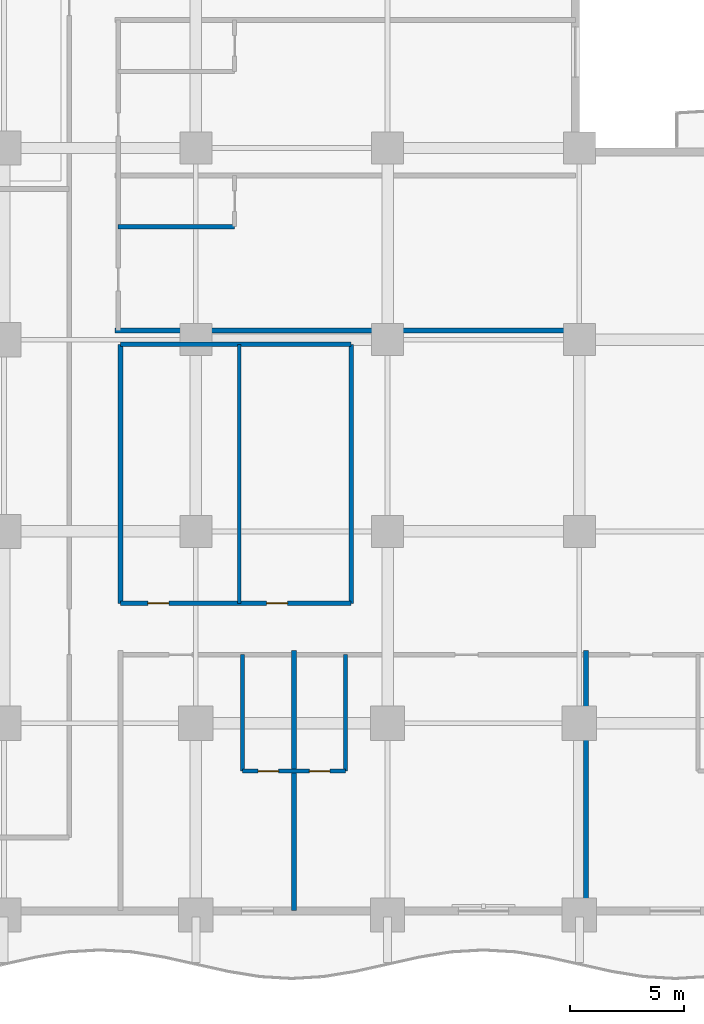
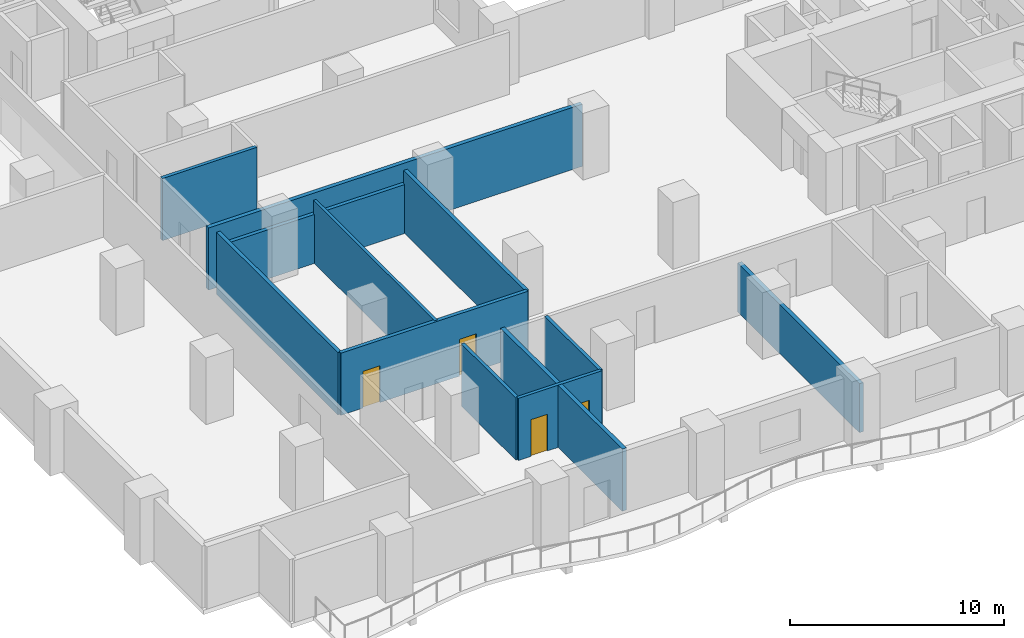
# One storey, part 10 of 27: 12 walls, 4 doors, 4 openings.
"""IFC4 building model written with IfcOpenShell, lengths in metres."""

from ifc_helpers import new_model, si_unit, direction, frame, frame_2d, origin, place, context, subcontext, project, spatial, rectangle, extrude, material, layer, layer_set, type_object, element, fill, save


model = new_model("IFC4")

# Units and contexts
model_context = context("Model", 3, precision=1e-05, world=origin(), true_north=direction((0.0, 1.0)))
body_context = subcontext(model_context, "Body", "Model", "MODEL_VIEW")
ifc_project = project(units=[si_unit("LENGTHUNIT", "METRE"), si_unit("AREAUNIT", "SQUARE_METRE"), si_unit("VOLUMEUNIT", "CUBIC_METRE"), si_unit("PLANEANGLEUNIT", "RADIAN"), si_unit("MASSUNIT", "GRAM", prefix="KILO")], contexts=[model_context])

# Site, building, storey
site_placement = place(None, origin())
site = spatial("IfcSite", under=ifc_project, at=site_placement, CompositionType="ELEMENT")
building_placement = place(site_placement, origin())
building = spatial("IfcBuilding", under=site, at=building_placement, Name="Koriwani Terraces Tower", CompositionType="ELEMENT")
storey_placement = place(building_placement, frame((0.0, 0.0, 54.800048828125)))
storey = spatial("IfcBuildingStorey", under=building, at=storey_placement, Name="L12", CompositionType="ELEMENT", Elevation=54.800048828125)

# Wall, openings, doors
ifc_material_1 = material(Name="Autoclaved Cellular Concrete Blockwork", Category="masonry")
ifc_layer_1 = layer(ifc_material_1, 0.199951171875, Name="Autoclaved Cellular Concrete Blockwork")
ifc_layer_set_1 = layer_set([ifc_layer_1], Name="Autoclaved Cellular Concrete Blockwork")
wall_type_1 = type_object("IfcWallType", Name="WALL_CORRIDOR_200", PredefinedType="PARTITIONING", material=ifc_layer_set_1)
wall_1_placement = place(storey_placement, frame((13.5, 13.64990234375, 0.0), z_axis=(0.0, 0.0, 1.0), x_axis=(1.0, 0.0, 0.0)))
wall_1 = element("IfcWall", 1, at=wall_1_placement, inside=storey, type_object=wall_type_1, Name="L12 Interior Wall WHK-L12-S", PredefinedType="PARTITIONING", context=body_context, shape_type="SweptSolid", body=[
    extrude(rectangle(XDim=10.10009765625, YDim=0.199951171875, at=frame_2d((5.050048828125, 0.0))), origin(), (0.0, 0.0, 1.0), 3.550048828125),
])
opening_1_placement = place(wall_1_placement, frame((1.199951171875, 0.0, 0.0)))
opening_1 = element("IfcOpeningElement", 2, at=opening_1_placement, cuts=wall_1, Name="Opening D-06", PredefinedType="OPENING", context=body_context, shape_type="SweptSolid", body=[
    extrude(rectangle(XDim=0.919921875, YDim=2.10009765625, at=frame_2d((0.4599609375, 1.050048828125))), frame((0.0, 0.10986328125, 0.0), z_axis=(0.0, -1.0, 0.0), x_axis=(1.0, 0.0, 0.0)), (0.0, 0.0, 1.0), 0.219970703125),
])
opening_2_placement = place(wall_1_placement, frame((6.39990234375, 0.0, 0.0)))
opening_2 = element("IfcOpeningElement", 3, at=opening_2_placement, cuts=wall_1, Name="Opening D-06", PredefinedType="OPENING", context=body_context, shape_type="SweptSolid", body=[
    extrude(rectangle(XDim=0.919921875, YDim=2.10009765625, at=frame_2d((0.4599609375, 1.050048828125))), frame((0.0, 0.10986328125, 0.0), z_axis=(0.0, -1.0, 0.0), x_axis=(1.0, 0.0, 0.0)), (0.0, 0.0, 1.0), 0.219970703125),
])
ifc_material_2 = material(Name="Architectural Oak Fire Door", Category="wood")
door_type_1 = type_object("IfcDoorType", Name="DOOR_ROOM_INT_920X2100", OperationType="NOTDEFINED", PredefinedType="DOOR", material=ifc_material_2)
door_1_placement = place(opening_1_placement, origin())
door_1 = element("IfcDoor", 4, at=door_1_placement, inside=storey, type_object=door_type_1, Name="L12 Housekeeping and Linen Room Door", OperationType="SINGLE_SWING_RIGHT", OverallHeight=2.10009765625, OverallWidth=0.919921875, PredefinedType="DOOR", context=body_context, shape_type="SweptSolid", body=[
    extrude(rectangle(XDim=0.919921875, YDim=2.10009765625, at=frame_2d((0.4599609375, 1.050048828125))), frame((0.0, 0.02490234375, 0.0), z_axis=(0.0, -1.0, 0.0), x_axis=(1.0, 0.0, 0.0)), (0.0, 0.0, 1.0), 0.050048828125),
])
fill(opening_1, door_1)
door_2_placement = place(opening_2_placement, origin())
door_2 = element("IfcDoor", 5, at=door_2_placement, inside=storey, type_object=door_type_1, Name="L12 Guest Study Lounge Door", OperationType="SINGLE_SWING_LEFT", OverallHeight=2.10009765625, OverallWidth=0.919921875, PredefinedType="DOOR", context=body_context, shape_type="SweptSolid", body=[
    extrude(rectangle(XDim=0.919921875, YDim=2.10009765625, at=frame_2d((0.4599609375, 1.050048828125))), frame((0.0, 0.02490234375, 0.0), z_axis=(0.0, -1.0, 0.0), x_axis=(1.0, 0.0, 0.0)), (0.0, 0.0, 1.0), 0.050048828125),
])
fill(opening_2, door_2)

# Walls
wall_2_placement = place(storey_placement, frame((13.5, 25.0, 0.0), z_axis=(0.0, 0.0, 1.0), x_axis=(1.0, 0.0, 0.0)))
element("IfcWall", 6, at=wall_2_placement, inside=storey, type_object=wall_type_1, Name="L12 Interior Wall WHK-L12-N", PredefinedType="PARTITIONING", context=body_context, shape_type="SweptSolid", body=[
    extrude(rectangle(XDim=10.10009765625, YDim=0.199951171875, at=frame_2d((5.050048828125, 0.0))), origin(), (0.0, 0.0, 1.0), 2.800048828125),
])
for number, where, z_axis, x_axis, name in (
    (7, (13.5, 13.64990234375, 0.0), (0.0, 0.0, 1.0), (0.0, 1.0, 0.0), "L12 Interior Wall WHK-L12-W"),
    (8, (23.60009765625, 13.64990234375, 0.0), (0.0, 0.0, 1.0), (0.0, 1.0, 0.0), "L12 Interior Wall WHK-L12-E"),
):
    element("IfcWall", number, at=place(storey_placement, frame(where, z_axis=z_axis, x_axis=x_axis)), inside=storey, type_object=wall_type_1, Name=name, PredefinedType="PARTITIONING", context=body_context, shape_type="SweptSolid", body=[
        extrude(rectangle(XDim=11.35009765625, YDim=0.199951171875, at=frame_2d((5.675048828125, 0.0))), origin(), (0.0, 0.0, 1.0), 3.550048828125),
    ])
ifc_layer_2 = layer(ifc_material_1, 0.219970703125, Name="Autoclaved Cellular Concrete Blockwork")
ifc_layer_set_2 = layer_set([ifc_layer_2], Name="Autoclaved Cellular Concrete Blockwork")
wall_type_2 = type_object("IfcWallType", Name="WALL_DEMISING_220", PredefinedType="PARTITIONING", material=ifc_layer_set_2)
wall_3_placement = place(storey_placement, frame((13.25, 25.60009765625, 0.0), z_axis=(0.0, 0.0, 1.0), x_axis=(1.0, 0.0, 0.0)))
element("IfcWall", 9, at=wall_3_placement, inside=storey, type_object=wall_type_2, Name="L12 Interior Wall WDEM-L12-NWI-0", PredefinedType="PARTITIONING", context=body_context, shape_type="SweptSolid", body=[
    extrude(rectangle(XDim=20.179931640625, YDim=0.219970703125, at=frame_2d((10.08984375, 0.0))), origin(), (0.0, 0.0, 1.0), 3.550048828125),
])
wall_4_placement = place(storey_placement, frame((21.10009765625, 0.199951171875, 0.0), z_axis=(0.0, 0.0, 1.0), x_axis=(0.0, 1.0, 0.0)))
element("IfcWall", 10, at=wall_4_placement, inside=storey, type_object=wall_type_2, Name="L12 Interior Wall WDEM-L12-SW-1", PredefinedType="PARTITIONING", context=body_context, shape_type="SweptSolid", body=[
    extrude(rectangle(XDim=11.380126953125, YDim=0.219970703125, at=frame_2d((5.68994140625, 0.0))), origin(), (0.0, 0.0, 1.0), 3.550048828125),
])
wall_5_placement = place(storey_placement, frame((33.89990234375, 0.199951171875, 0.0), z_axis=(0.0, 0.0, 1.0), x_axis=(0.0, 1.0, 0.0)))
element("IfcWall", 11, at=wall_5_placement, inside=storey, type_object=wall_type_2, Name="L12 Interior Wall WDEM-L12-SW-2", PredefinedType="PARTITIONING", context=body_context, shape_type="SweptSolid", body=[
    extrude(rectangle(XDim=11.380126953125, YDim=0.219970703125, at=frame_2d((5.68994140625, 0.0))), origin(), (0.0, 0.0, 1.0), 2.800048828125),
])
ifc_material_3 = material(Name="Fire-Rated Acoustic Gypsum Partition", Category="masonry")
ifc_layer_3 = layer(ifc_material_3, 0.179931640625, Name="Fire-Rated Acoustic Gypsum Partition")
ifc_layer_set_3 = layer_set([ifc_layer_3], Name="Fire-Rated Acoustic Gypsum Partition")
wall_type_3 = type_object("IfcWallType", Name="WALL_PLUMBING_180", PredefinedType="PLUMBINGWALL", material=ifc_layer_set_3)
wall_6_placement = place(storey_placement, frame((13.39990234375, 30.14990234375, 0.0), z_axis=(0.0, 0.0, 1.0), x_axis=(1.0, 0.0, 0.0)))
element("IfcWall", 12, at=wall_6_placement, inside=storey, type_object=wall_type_3, Name="L12 Interior Wall WBTH2-L12-NWI-0", PredefinedType="PLUMBINGWALL", context=body_context, shape_type="SweptSolid", body=[
    extrude(rectangle(XDim=5.10009765625, YDim=0.179931640625, at=frame_2d((2.550048828125, 0.0))), origin(), (0.0, 0.0, 1.0), 3.550048828125),
])

# Wall, openings, doors
wall_7_placement = place(storey_placement, frame((18.85009765625, 6.300048828125, 0.0), z_axis=(0.0, 0.0, 1.0), x_axis=(1.0, 0.0, 0.0)))
wall_7 = element("IfcWall", 13, at=wall_7_placement, inside=storey, type_object=wall_type_3, Name="L12 Interior Wall WBTH1-L12-SW-0", PredefinedType="PLUMBINGWALL", context=body_context, shape_type="SweptSolid", body=[
    extrude(rectangle(XDim=4.5, YDim=0.179931640625, at=frame_2d((2.25, 0.0))), origin(), (0.0, 0.0, 1.0), 3.550048828125),
])
opening_3_placement = place(wall_7_placement, frame((0.675048828125, 0.0, 0.0)))
opening_3 = element("IfcOpeningElement", 14, at=opening_3_placement, cuts=wall_7, Name="Opening D-07", PredefinedType="OPENING", context=body_context, shape_type="SweptSolid", body=[
    extrude(rectangle(XDim=0.89990234375, YDim=2.10009765625, at=frame_2d((0.449951171875, 1.050048828125))), frame((0.0, 0.10009765625, 0.0), z_axis=(0.0, -1.0, 0.0), x_axis=(1.0, 0.0, 0.0)), (0.0, 0.0, 1.0), 0.199951171875),
])
opening_4_placement = place(wall_7_placement, frame((2.925048828125, 0.0, 0.0)))
opening_4 = element("IfcOpeningElement", 15, at=opening_4_placement, cuts=wall_7, Name="Opening D-07", PredefinedType="OPENING", context=body_context, shape_type="SweptSolid", body=[
    extrude(rectangle(XDim=0.89990234375, YDim=2.10009765625, at=frame_2d((0.449951171875, 1.050048828125))), frame((0.0, 0.10009765625, 0.0), z_axis=(0.0, -1.0, 0.0), x_axis=(1.0, 0.0, 0.0)), (0.0, 0.0, 1.0), 0.199951171875),
])
door_type_2 = type_object("IfcDoorType", Name="DOOR_BATH_INT_900X2100", OperationType="NOTDEFINED", PredefinedType="DOOR", material=ifc_material_2)
door_3_placement = place(opening_3_placement, origin())
door_3 = element("IfcDoor", 16, at=door_3_placement, inside=storey, type_object=door_type_2, Name="En-Suite Bathroom 12SW1 Door", OperationType="SINGLE_SWING_LEFT", OverallHeight=2.10009765625, OverallWidth=0.89990234375, PredefinedType="DOOR", context=body_context, shape_type="SweptSolid", body=[
    extrude(rectangle(XDim=0.89990234375, YDim=2.10009765625, at=frame_2d((0.449951171875, 1.050048828125))), frame((0.0, 0.02490234375, 0.0), z_axis=(0.0, -1.0, 0.0), x_axis=(1.0, 0.0, 0.0)), (0.0, 0.0, 1.0), 0.050048828125),
])
fill(opening_3, door_3)
door_4_placement = place(opening_4_placement, origin())
door_4 = element("IfcDoor", 17, at=door_4_placement, inside=storey, type_object=door_type_2, Name="En-Suite Bathroom 12SW2 Door", OperationType="SINGLE_SWING_LEFT", OverallHeight=2.10009765625, OverallWidth=0.89990234375, PredefinedType="DOOR", context=body_context, shape_type="SweptSolid", body=[
    extrude(rectangle(XDim=0.89990234375, YDim=2.10009765625, at=frame_2d((0.449951171875, 1.050048828125))), frame((0.0, 0.02490234375, 0.0), z_axis=(0.0, -1.0, 0.0), x_axis=(1.0, 0.0, 0.0)), (0.0, 0.0, 1.0), 0.050048828125),
])
fill(opening_4, door_4)

# Walls
for number, where, z_axis, x_axis, name in (
    (18, (18.85009765625, 6.300048828125, 0.0), (0.0, 0.0, 1.0), (0.0, 1.0, 0.0), "L12 Interior Wall WBTH2-L12-SW-0"),
    (19, (23.35009765625, 6.300048828125, 0.0), (0.0, 0.0, 1.0), (0.0, 1.0, 0.0), "L12 Interior Wall WBTH2-L12-SW-1"),
):
    element("IfcWall", number, at=place(storey_placement, frame(where, z_axis=z_axis, x_axis=x_axis)), inside=storey, type_object=wall_type_3, Name=name, PredefinedType="PLUMBINGWALL", context=body_context, shape_type="SweptSolid", body=[
        extrude(rectangle(XDim=5.099853515625, YDim=0.179931640625, at=frame_2d((2.5498046875, 0.0))), origin(), (0.0, 0.0, 1.0), 3.550048828125),
    ])
ifc_layer_4 = layer(ifc_material_3, 0.159912109375, Name="Fire-Rated Acoustic Gypsum Partition")
ifc_layer_set_4 = layer_set([ifc_layer_4], Name="Fire-Rated Acoustic Gypsum Partition")
wall_type_4 = type_object("IfcWallType", Name="WALL_SUITE_160", PredefinedType="PARTITIONING", material=ifc_layer_set_4)
wall_8_placement = place(storey_placement, frame((18.699951171875, 13.64990234375, 0.0), z_axis=(0.0, 0.0, 1.0), x_axis=(0.0, 1.0, 0.0)))
element("IfcWall", 20, at=wall_8_placement, inside=storey, type_object=wall_type_4, Name="L12 Interior Wall WHK-L12-M", PredefinedType="PARTITIONING", context=body_context, shape_type="SweptSolid", body=[
    extrude(rectangle(XDim=11.35009765625, YDim=0.159912109375, at=frame_2d((5.675048828125, 0.0))), origin(), (0.0, 0.0, 1.0), 3.550048828125),
])

save(model, "model.ifc")
